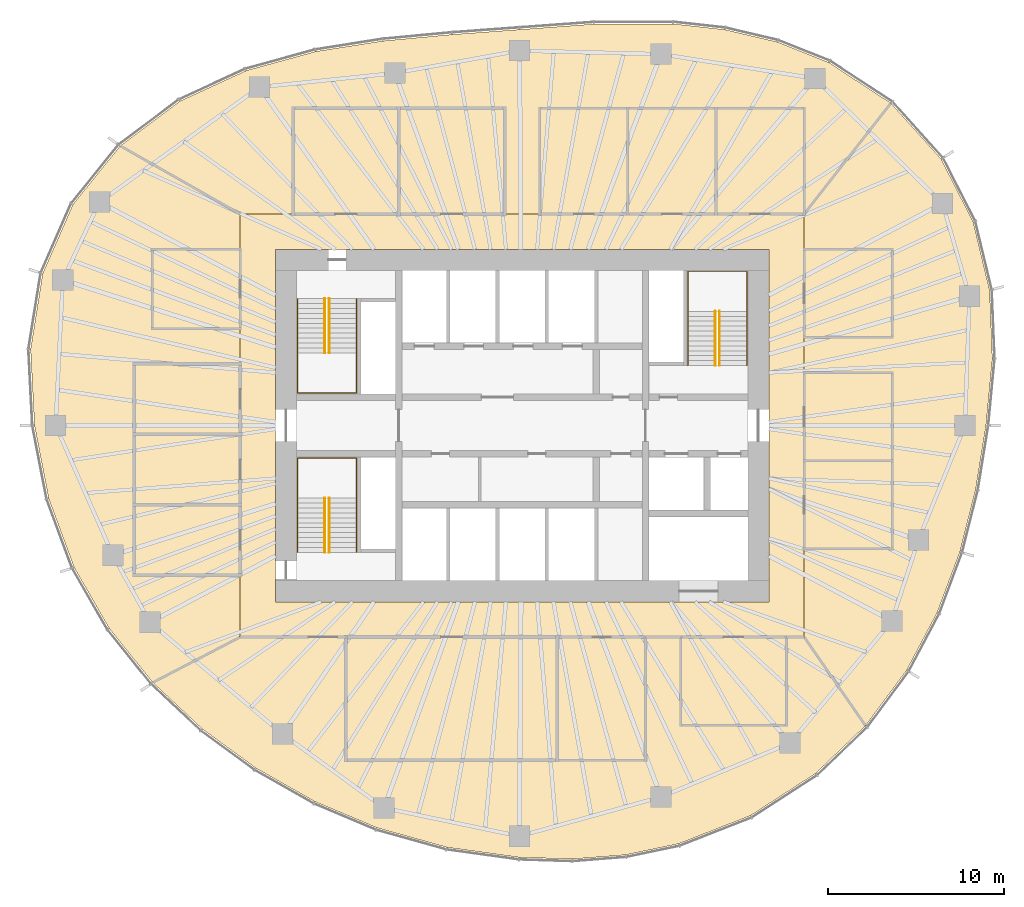
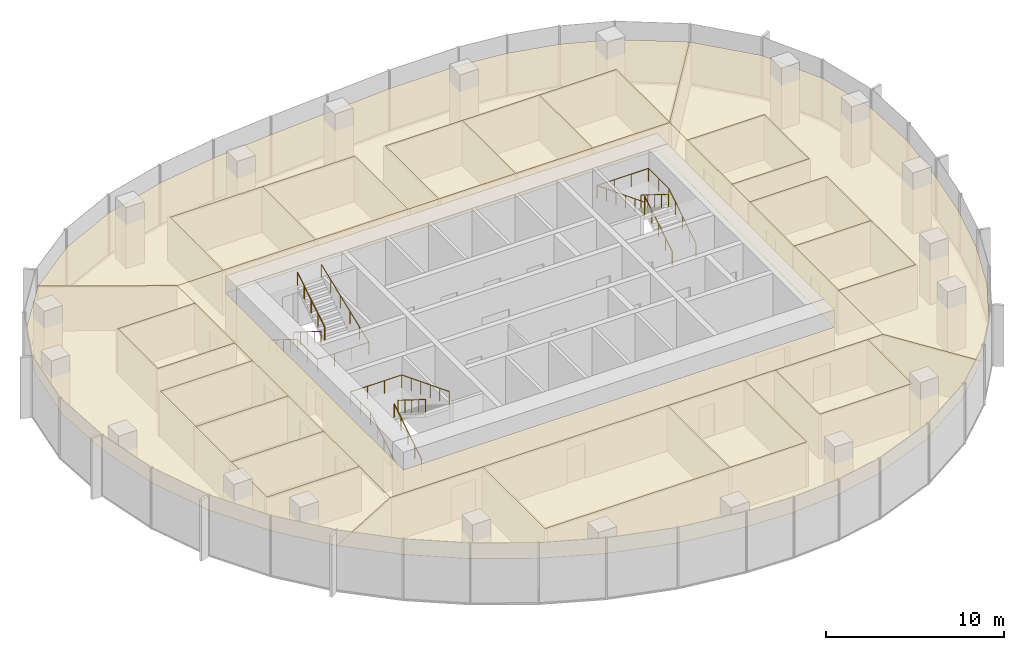
# One storey, part 11 of 11: 20 coverings, 9 railings.
"""IFC4 building model written with IfcOpenShell, lengths in metres."""

from ifc_helpers import new_model, si_unit, direction, frame, origin, origin_2d, place, context, subcontext, project, spatial, polyline, circle, outline, extrude, material, layer, layer_set, type_object, element, save


model = new_model("IFC4")

# Units and contexts
model_context = context("Model", 3, precision=1e-05, world=origin(), true_north=direction((0.0, 1.0)))
body_context = subcontext(model_context, "Body", "Model", "MODEL_VIEW")
ifc_project = project(units=[si_unit("LENGTHUNIT", "METRE"), si_unit("AREAUNIT", "SQUARE_METRE"), si_unit("VOLUMEUNIT", "CUBIC_METRE"), si_unit("PLANEANGLEUNIT", "RADIAN"), si_unit("MASSUNIT", "GRAM", prefix="KILO")], contexts=[model_context])

# Site, building, storey
site_placement = place(None, origin())
site = spatial("IfcSite", under=ifc_project, at=site_placement, CompositionType="ELEMENT")
building_placement = place(site_placement, origin())
building = spatial("IfcBuilding", under=site, at=building_placement, Name="Ghaith Harvest Tower", CompositionType="ELEMENT")
storey_placement = place(building_placement, frame((0.0, 0.0, 241.0)))
storey = spatial("IfcBuildingStorey", under=building, at=storey_placement, Name="L53", CompositionType="ELEMENT", Elevation=241.0)

# Coverings
ifc_material_1 = material(Name="Mineral fibre ceiling tile", Category="gypsum")
ifc_layer = layer(ifc_material_1, 0.02001953125)
ifc_layer_set = layer_set([ifc_layer], Name="CEILING C1")
covering_type = type_object("IfcCoveringType", Name="CEILING C1", PredefinedType="CEILING", material=ifc_layer_set)
covering_1_placement = place(storey_placement, frame((0.0, 0.0, 3.0)))
element("IfcCovering", 1, at=covering_1_placement, inside=storey, type_object=covering_type, Name="Ceiling L53-01", PredefinedType="CEILING", context=body_context, shape_type="SweptSolid", body=[
    extrude(outline(polyline([(-10.0, -19.0), (2.0, -19.0), (2.0, -12.0), (-10.0, -12.0), (-10.0, -19.0)])), origin(), (0.0, 0.0, 1.0), 0.02001953125),
])
covering_2_placement = place(storey_placement, frame((0.0, 0.0, 3.0)))
element("IfcCovering", 2, at=covering_2_placement, inside=storey, type_object=covering_type, Name="Ceiling L53-02", PredefinedType="CEILING", context=body_context, shape_type="SweptSolid", body=[
    extrude(outline(polyline([(2.0, -19.0), (7.0, -19.0), (7.0, -12.0), (2.0, -12.0), (2.0, -19.0)])), origin(), (0.0, 0.0, 1.0), 0.02001953125),
])
covering_3_placement = place(storey_placement, frame((0.0, 0.0, 3.0)))
element("IfcCovering", 3, at=covering_3_placement, inside=storey, type_object=covering_type, Name="Ceiling L53-03", PredefinedType="CEILING", context=body_context, shape_type="SweptSolid", body=[
    extrude(outline(polyline([(-22.0, -8.5), (-16.0, -8.5), (-16.0, -4.5), (-22.0, -4.5), (-22.0, -8.5)])), origin(), (0.0, 0.0, 1.0), 0.02001953125),
])
covering_4_placement = place(storey_placement, frame((0.0, 0.0, 3.0)))
element("IfcCovering", 4, at=covering_4_placement, inside=storey, type_object=covering_type, Name="Ceiling L53-04", PredefinedType="CEILING", context=body_context, shape_type="SweptSolid", body=[
    extrude(outline(polyline([(-22.0, -4.5), (-16.0, -4.5), (-16.0, -0.5), (-22.0, -0.5), (-22.0, -4.5)])), origin(), (0.0, 0.0, 1.0), 0.02001953125),
])
covering_5_placement = place(storey_placement, frame((0.0, 0.0, 3.0)))
element("IfcCovering", 5, at=covering_5_placement, inside=storey, type_object=covering_type, Name="Ceiling L53-05", PredefinedType="CEILING", context=body_context, shape_type="SweptSolid", body=[
    extrude(outline(polyline([(-22.0, -0.5), (-16.0, -0.5), (-16.0, 3.5), (-22.0, 3.5), (-22.0, -0.5)])), origin(), (0.0, 0.0, 1.0), 0.02001953125),
])
covering_6_placement = place(storey_placement, frame((0.0, 0.0, 3.0)))
element("IfcCovering", 6, at=covering_6_placement, inside=storey, type_object=covering_type, Name="Ceiling L53-06", PredefinedType="CEILING", context=body_context, shape_type="SweptSolid", body=[
    extrude(outline(polyline([(-13.0, 12.0), (-7.0, 12.0), (-7.0, 18.0), (-13.0, 18.0), (-13.0, 12.0)])), origin(), (0.0, 0.0, 1.0), 0.02001953125),
])
covering_7_placement = place(storey_placement, frame((0.0, 0.0, 3.0)))
element("IfcCovering", 7, at=covering_7_placement, inside=storey, type_object=covering_type, Name="Ceiling L53-07", PredefinedType="CEILING", context=body_context, shape_type="SweptSolid", body=[
    extrude(outline(polyline([(-7.0, 12.0), (-1.0, 12.0), (-1.0, 18.0), (-7.0, 18.0), (-7.0, 12.0)])), origin(), (0.0, 0.0, 1.0), 0.02001953125),
])
covering_8_placement = place(storey_placement, frame((0.0, 0.0, 3.0)))
element("IfcCovering", 8, at=covering_8_placement, inside=storey, type_object=covering_type, Name="Ceiling L53-08", PredefinedType="CEILING", context=body_context, shape_type="SweptSolid", body=[
    extrude(outline(polyline([(1.0, 12.0), (6.0, 12.0), (6.0, 18.0), (1.0, 18.0), (1.0, 12.0)])), origin(), (0.0, 0.0, 1.0), 0.02001953125),
])
covering_9_placement = place(storey_placement, frame((0.0, 0.0, 3.0)))
element("IfcCovering", 9, at=covering_9_placement, inside=storey, type_object=covering_type, Name="Ceiling L53-09", PredefinedType="CEILING", context=body_context, shape_type="SweptSolid", body=[
    extrude(outline(polyline([(6.0, 12.0), (11.0, 12.0), (11.0, 18.0), (6.0, 18.0), (6.0, 12.0)])), origin(), (0.0, 0.0, 1.0), 0.02001953125),
])
covering_10_placement = place(storey_placement, frame((0.0, 0.0, 3.0)))
element("IfcCovering", 10, at=covering_10_placement, inside=storey, type_object=covering_type, Name="Ceiling L53-10", PredefinedType="CEILING", context=body_context, shape_type="SweptSolid", body=[
    extrude(outline(polyline([(11.0, 12.0), (16.0, 12.0), (16.0, 18.0), (11.0, 18.0), (11.0, 12.0)])), origin(), (0.0, 0.0, 1.0), 0.02001953125),
])
covering_11_placement = place(storey_placement, frame((0.0, 0.0, 3.0)))
element("IfcCovering", 11, at=covering_11_placement, inside=storey, type_object=covering_type, Name="Ceiling L53-11", PredefinedType="CEILING", context=body_context, shape_type="SweptSolid", body=[
    extrude(outline(polyline([(16.0, -7.0), (21.0, -7.0), (21.0, -2.0), (16.0, -2.0), (16.0, -7.0)])), origin(), (0.0, 0.0, 1.0), 0.02001953125),
])
covering_12_placement = place(storey_placement, frame((0.0, 0.0, 3.0)))
element("IfcCovering", 12, at=covering_12_placement, inside=storey, type_object=covering_type, Name="Ceiling L53-12", PredefinedType="CEILING", context=body_context, shape_type="SweptSolid", body=[
    extrude(outline(polyline([(16.0, -2.0), (21.0, -2.0), (21.0, 3.0), (16.0, 3.0), (16.0, -2.0)])), origin(), (0.0, 0.0, 1.0), 0.02001953125),
])
covering_13_placement = place(storey_placement, frame((0.0, 0.0, 3.0)))
element("IfcCovering", 13, at=covering_13_placement, inside=storey, type_object=covering_type, Name="Ceiling L53-13", PredefinedType="CEILING", context=body_context, shape_type="SweptSolid", body=[
    extrude(outline(polyline([(9.0, -17.0), (15.0, -17.0), (15.0, -12.0), (9.0, -12.0), (9.0, -17.0)])), origin(), (0.0, 0.0, 1.0), 0.02001953125),
])
covering_14_placement = place(storey_placement, frame((0.0, 0.0, 3.0)))
element("IfcCovering", 14, at=covering_14_placement, inside=storey, type_object=covering_type, Name="Ceiling L53-14", PredefinedType="CEILING", context=body_context, shape_type="SweptSolid", body=[
    extrude(outline(polyline([(16.0, 5.0), (21.0, 5.0), (21.0, 10.0), (16.0, 10.0), (16.0, 5.0)])), origin(), (0.0, 0.0, 1.0), 0.02001953125),
])
covering_15_placement = place(storey_placement, frame((0.0, 0.0, 3.0)))
element("IfcCovering", 15, at=covering_15_placement, inside=storey, type_object=covering_type, Name="Ceiling L53-15", PredefinedType="CEILING", context=body_context, shape_type="SweptSolid", body=[
    extrude(outline(polyline([(-21.0, 5.5), (-16.0, 5.5), (-16.0, 10.0), (-21.0, 10.0), (-21.0, 5.5)])), origin(), (0.0, 0.0, 1.0), 0.02001953125),
])
covering_16_placement = place(storey_placement, frame((0.0, 0.0, 3.0)))
element("IfcCovering", 16, at=covering_16_placement, inside=storey, type_object=covering_type, Name="Ceiling L53-C1", PredefinedType="CEILING", context=body_context, shape_type="SweptSolid", body=[
    extrude(outline(polyline([(16.0, -12.0), (-16.0, -12.0), (-16.0, 12.0), (16.0, 12.0), (16.0, -12.0)]), holes=[polyline([(14.0, -10.0), (14.0, 10.0), (-14.0, 10.0), (-14.0, -10.0), (14.0, -10.0)])]), origin(), (0.0, 0.0, 1.0), 0.02001953125),
])
covering_17_placement = place(storey_placement, frame((0.0, 0.0, 3.0)))
element("IfcCovering", 17, at=covering_17_placement, inside=storey, type_object=covering_type, Name="Ceiling L53-N1", PredefinedType="CEILING", context=body_context, shape_type="SweptSolid", body=[
    extrude(outline(polyline([(-19.408203125, 18.41650390625), (-15.6474609375, 20.147705078125), (-11.694580078125, 21.2314453125), (-7.8837890625, 21.827880859375), (-3.963134765625, 22.192138671875), (-0.15380859375, 22.470458984375), (4.03857421875, 22.78125), (8.522216796875, 22.796875), (11.47265625, 22.47265625), (14.460693359375, 21.771484375), (17.382080078125, 20.612548828125), (20.923095703125, 18.295166015625), (16.0, 12.0), (16.0, 18.0), (1.0, 18.0), (1.0, 12.0), (-1.0, 12.0), (-1.0, 18.0), (-13.0, 18.0), (-13.0, 12.0), (-16.0, 12.0), (-22.809814453125, 15.87109375), (-19.408203125, 18.41650390625)])), origin(), (0.0, 0.0, 1.0), 0.02001953125),
])
covering_18_placement = place(storey_placement, frame((0.0, 0.0, 3.0)))
element("IfcCovering", 18, at=covering_18_placement, inside=storey, type_object=covering_type, Name="Ceiling L53-E1", PredefinedType="CEILING", context=body_context, shape_type="SweptSolid", body=[
    extrude(outline(polyline([(23.77294921875, 15.12939453125), (25.597900390625, 11.55615234375), (26.531005859375, 7.668212890625), (26.685791015625, 3.779052734375), (26.324951171875, 0.0), (25.734375, -3.644287109375), (24.840576171875, -7.179443359375), (23.548828125, -10.631103515625), (21.821533203125, -13.887451171875), (19.48388671875, -17.036865234375), (16.0, -12.0), (16.0, -7.0), (21.0, -7.0), (21.0, 3.0), (16.0, 3.0), (16.0, 5.0), (21.0, 5.0), (21.0, 10.0), (16.0, 10.0), (16.0, 12.0), (20.923095703125, 18.295166015625), (23.77294921875, 15.12939453125)])), origin(), (0.0, 0.0, 1.0), 0.02001953125),
])
covering_19_placement = place(storey_placement, frame((0.0, 0.0, 3.0)))
element("IfcCovering", 19, at=covering_19_placement, inside=storey, type_object=covering_type, Name="Ceiling L53-S1", PredefinedType="CEILING", context=body_context, shape_type="SweptSolid", body=[
    extrude(outline(polyline([(16.651611328125, -19.746337890625), (12.949462890625, -22.1435546875), (8.8740234375, -23.73779296875), (5.865234375, -24.3662109375), (2.833984375, -24.602294921875), (-0.167724609375, -24.505126953125), (-4.27490234375, -23.9375), (-8.2451171875, -22.82861328125), (-11.75732421875, -21.345703125), (-15.10400390625, -19.447998046875), (-18.15087890625, -17.223388671875), (-20.963134765625, -14.586181640625), (-16.0, -12.0), (-10.0, -12.0), (-10.0, -19.0), (7.0, -19.0), (7.0, -12.0), (9.0, -12.0), (9.0, -17.0), (15.0, -17.0), (15.0, -12.0), (16.0, -12.0), (19.48388671875, -17.036865234375), (16.651611328125, -19.746337890625)])), origin(), (0.0, 0.0, 1.0), 0.02001953125),
])
covering_20_placement = place(storey_placement, frame((0.0, 0.0, 3.0)))
element("IfcCovering", 20, at=covering_20_placement, inside=storey, type_object=covering_type, Name="Ceiling L53-W1", PredefinedType="CEILING", context=body_context, shape_type="SweptSolid", body=[
    extrude(outline(polyline([(-23.425537109375, -11.530517578125), (-25.424072265625, -8.057373046875), (-26.86669921875, -4.155517578125), (-27.675048828125, 0.0), (-27.897216796875, 4.314697265625), (-27.211181640625, 8.623779296875), (-25.491943359375, 12.547607421875), (-22.809814453125, 15.87109375), (-16.0, 12.0), (-16.0, 10.0), (-21.0, 10.0), (-21.0, 5.5), (-16.0, 5.5), (-16.0, 3.5), (-22.0, 3.5), (-22.0, -8.5), (-16.0, -8.5), (-16.0, -12.0), (-20.963134765625, -14.586181640625), (-23.425537109375, -11.530517578125)])), origin(), (0.0, 0.0, 1.0), 0.02001953125),
])

# Railings
ifc_material_2 = material(Name="Steel, black powder-coated", Category="steel")
railing_type = type_object("IfcRailingType", Name="HANDRAIL HR1", PredefinedType="HANDRAIL", material=ifc_material_2)
railing_1_placement = place(storey_placement, frame((-11.199951171875, 7.199951171875, 0.175048828125)))
element("IfcRailing", 21, at=railing_1_placement, inside=storey, type_object=railing_type, Name="Handrail HR1 stair ST1 L53 flight 1 inner", PredefinedType="HANDRAIL", context=body_context, shape_type="SweptSolid", body=[
    extrude(circle(Radius=0.02392578125, at=origin_2d()), frame((0.0, 0.0, 0.8759765625), z_axis=(0.0, -0.847979421464, 0.530029150871), x_axis=(1.0, 0.0, 0.0)), (0.0, 0.0, 1.0), 3.632080078125),
    extrude(circle(Radius=0.02099609375, at=origin_2d()), origin(), (0.0, 0.0, 1.0), 0.851806640625),
    extrude(circle(Radius=0.02099609375, at=origin_2d()), frame((0.0, -0.77001953125, 0.481201171875)), (0.0, 0.0, 1.0), 0.851806640625),
    extrude(circle(Radius=0.02099609375, at=origin_2d()), frame((0.0, -1.5400390625, 0.96240234375)), (0.0, 0.0, 1.0), 0.851806640625),
    extrude(circle(Radius=0.02099609375, at=origin_2d()), frame((0.0, -2.309814453125, 1.44384765625)), (0.0, 0.0, 1.0), 0.851806640625),
    extrude(circle(Radius=0.02099609375, at=origin_2d()), frame((0.0, -3.079833984375, 1.925048828125)), (0.0, 0.0, 1.0), 0.851806640625),
])
railing_2_placement = place(storey_placement, frame((-10.949951171875, 4.1201171875, 2.27490234375)))
element("IfcRailing", 22, at=railing_2_placement, inside=storey, type_object=railing_type, Name="Handrail HR1 stair ST1 L53 flight 2 inner", PredefinedType="HANDRAIL", context=body_context, shape_type="SweptSolid", body=[
    extrude(circle(Radius=0.02392578125, at=origin_2d()), frame((0.0, 0.0, 0.8759765625), z_axis=(0.0, 0.847979421464, 0.530029150871), x_axis=(-1.0, 0.0, 0.0)), (0.0, 0.0, 1.0), 3.632080078125),
    extrude(circle(Radius=0.02099609375, at=origin_2d()), origin(), (0.0, 0.0, 1.0), 0.851806640625),
    extrude(circle(Radius=0.02099609375, at=origin_2d()), frame((0.0, 0.77001953125, 0.481201171875)), (0.0, 0.0, 1.0), 0.851806640625),
    extrude(circle(Radius=0.02099609375, at=origin_2d()), frame((0.0, 1.5400390625, 0.96240234375)), (0.0, 0.0, 1.0), 0.851806640625),
    extrude(circle(Radius=0.02099609375, at=origin_2d()), frame((0.0, 2.309814453125, 1.44384765625)), (0.0, 0.0, 1.0), 0.851806640625),
    extrude(circle(Radius=0.02099609375, at=origin_2d()), frame((0.0, 3.079833984375, 1.925048828125)), (0.0, 0.0, 1.0), 0.851806640625),
])
railing_3_placement = place(storey_placement, frame((-12.75, 7.199951171875, 0.175048828125)))
element("IfcRailing", 23, at=railing_3_placement, inside=storey, type_object=railing_type, Name="Handrail HR1 stair ST1 L53 wall side", PredefinedType="HANDRAIL", context=body_context, shape_type="SweptSolid", body=[
    extrude(circle(Radius=0.02392578125, at=origin_2d()), frame((0.0, 0.0, 0.8759765625), z_axis=(0.0, -0.847979421464, 0.530029150871), x_axis=(1.0, 0.0, 0.0)), (0.0, 0.0, 1.0), 3.632080078125),
    extrude(circle(Radius=0.02392578125, at=origin_2d()), frame((0.0, -3.079833984375, 2.80078125), z_axis=(0.0, -1.0, 0.0), x_axis=(1.0, 0.0, 0.0)), (0.0, 0.0, 1.0), 2.27001953125),
    extrude(circle(Radius=0.02392578125, at=origin_2d()), frame((0.0, -5.349853515625, 2.80078125), z_axis=(1.0, 0.0, 0.0), x_axis=(0.0, 1.0, 0.0)), (0.0, 0.0, 1.0), 3.35009765625),
    extrude(circle(Radius=0.02392578125, at=origin_2d()), frame((3.35009765625, -5.349853515625, 2.80078125), z_axis=(0.0, 0.930862461605, 0.365369781968), x_axis=(-1.0, 0.0, 0.0)), (0.0, 0.0, 1.0), 5.747314453125),
    extrude(circle(Radius=0.02099609375, at=origin_2d()), origin(), (0.0, 0.0, 1.0), 0.851806640625),
    extrude(circle(Radius=0.02099609375, at=origin_2d()), frame((0.0, -0.77001953125, 0.481201171875)), (0.0, 0.0, 1.0), 0.851806640625),
    extrude(circle(Radius=0.02099609375, at=origin_2d()), frame((0.0, -1.5400390625, 0.96240234375)), (0.0, 0.0, 1.0), 0.851806640625),
    extrude(circle(Radius=0.02099609375, at=origin_2d()), frame((0.0, -2.309814453125, 1.44384765625)), (0.0, 0.0, 1.0), 0.851806640625),
    extrude(circle(Radius=0.02099609375, at=origin_2d()), frame((0.0, -3.079833984375, 1.925048828125)), (0.0, 0.0, 1.0), 0.851806640625),
    extrude(circle(Radius=0.02099609375, at=origin_2d()), frame((0.0, -4.21484375, 1.925048828125)), (0.0, 0.0, 1.0), 0.851806640625),
    extrude(circle(Radius=0.02099609375, at=origin_2d()), frame((0.0, -5.349853515625, 1.925048828125)), (0.0, 0.0, 1.0), 0.851806640625),
    extrude(circle(Radius=0.02099609375, at=origin_2d()), frame((1.11669921875, -5.349853515625, 1.925048828125)), (0.0, 0.0, 1.0), 0.851806640625),
    extrude(circle(Radius=0.02099609375, at=origin_2d()), frame((2.2333984375, -5.349853515625, 1.925048828125)), (0.0, 0.0, 1.0), 0.851806640625),
    extrude(circle(Radius=0.02099609375, at=origin_2d()), frame((3.35009765625, -5.349853515625, 1.925048828125)), (0.0, 0.0, 1.0), 0.851806640625),
    extrude(circle(Radius=0.02099609375, at=origin_2d()), frame((3.35009765625, -4.27978515625, 2.344970703125)), (0.0, 0.0, 1.0), 0.851806640625),
    extrude(circle(Radius=0.02099609375, at=origin_2d()), frame((3.35009765625, -3.2099609375, 2.764892578125)), (0.0, 0.0, 1.0), 0.851806640625),
    extrude(circle(Radius=0.02099609375, at=origin_2d()), frame((3.35009765625, -2.139892578125, 3.18505859375)), (0.0, 0.0, 1.0), 0.851806640625),
    extrude(circle(Radius=0.02099609375, at=origin_2d()), frame((3.35009765625, -1.070068359375, 3.60498046875)), (0.0, 0.0, 1.0), 0.851806640625),
    extrude(circle(Radius=0.02099609375, at=origin_2d()), frame((3.35009765625, 0.0, 4.02490234375)), (0.0, 0.0, 1.0), 0.851806640625),
])
railing_4_placement = place(storey_placement, frame((-11.199951171875, -7.199951171875, 0.175048828125)))
element("IfcRailing", 24, at=railing_4_placement, inside=storey, type_object=railing_type, Name="Handrail HR1 stair ST3 L53 flight 1 inner", PredefinedType="HANDRAIL", context=body_context, shape_type="SweptSolid", body=[
    extrude(circle(Radius=0.02392578125, at=origin_2d()), frame((0.0, 0.0, 0.8759765625), z_axis=(0.0, 0.847979421464, 0.530029150871), x_axis=(-1.0, 0.0, 0.0)), (0.0, 0.0, 1.0), 3.632080078125),
    extrude(circle(Radius=0.02099609375, at=origin_2d()), origin(), (0.0, 0.0, 1.0), 0.851806640625),
    extrude(circle(Radius=0.02099609375, at=origin_2d()), frame((0.0, 0.77001953125, 0.481201171875)), (0.0, 0.0, 1.0), 0.851806640625),
    extrude(circle(Radius=0.02099609375, at=origin_2d()), frame((0.0, 1.5400390625, 0.96240234375)), (0.0, 0.0, 1.0), 0.851806640625),
    extrude(circle(Radius=0.02099609375, at=origin_2d()), frame((0.0, 2.309814453125, 1.44384765625)), (0.0, 0.0, 1.0), 0.851806640625),
    extrude(circle(Radius=0.02099609375, at=origin_2d()), frame((0.0, 3.079833984375, 1.925048828125)), (0.0, 0.0, 1.0), 0.851806640625),
])
railing_5_placement = place(storey_placement, frame((-10.949951171875, -4.1201171875, 2.27490234375)))
element("IfcRailing", 25, at=railing_5_placement, inside=storey, type_object=railing_type, Name="Handrail HR1 stair ST3 L53 flight 2 inner", PredefinedType="HANDRAIL", context=body_context, shape_type="SweptSolid", body=[
    extrude(circle(Radius=0.02392578125, at=origin_2d()), frame((0.0, 0.0, 0.8759765625), z_axis=(0.0, -0.847979421464, 0.530029150871), x_axis=(1.0, 0.0, 0.0)), (0.0, 0.0, 1.0), 3.632080078125),
    extrude(circle(Radius=0.02099609375, at=origin_2d()), origin(), (0.0, 0.0, 1.0), 0.851806640625),
    extrude(circle(Radius=0.02099609375, at=origin_2d()), frame((0.0, -0.77001953125, 0.481201171875)), (0.0, 0.0, 1.0), 0.851806640625),
    extrude(circle(Radius=0.02099609375, at=origin_2d()), frame((0.0, -1.5400390625, 0.96240234375)), (0.0, 0.0, 1.0), 0.851806640625),
    extrude(circle(Radius=0.02099609375, at=origin_2d()), frame((0.0, -2.309814453125, 1.44384765625)), (0.0, 0.0, 1.0), 0.851806640625),
    extrude(circle(Radius=0.02099609375, at=origin_2d()), frame((0.0, -3.079833984375, 1.925048828125)), (0.0, 0.0, 1.0), 0.851806640625),
])
railing_6_placement = place(storey_placement, frame((-12.75, -7.199951171875, 0.175048828125)))
element("IfcRailing", 26, at=railing_6_placement, inside=storey, type_object=railing_type, Name="Handrail HR1 stair ST3 L53 wall side", PredefinedType="HANDRAIL", context=body_context, shape_type="SweptSolid", body=[
    extrude(circle(Radius=0.02392578125, at=origin_2d()), frame((0.0, 0.0, 0.8759765625), z_axis=(0.0, 0.847979421464, 0.530029150871), x_axis=(-1.0, 0.0, 0.0)), (0.0, 0.0, 1.0), 3.632080078125),
    extrude(circle(Radius=0.02392578125, at=origin_2d()), frame((0.0, 3.079833984375, 2.80078125), z_axis=(0.0, 1.0, 0.0), x_axis=(-1.0, 0.0, 0.0)), (0.0, 0.0, 1.0), 2.27001953125),
    extrude(circle(Radius=0.02392578125, at=origin_2d()), frame((0.0, 5.349853515625, 2.80078125), z_axis=(1.0, 0.0, 0.0), x_axis=(0.0, 1.0, 0.0)), (0.0, 0.0, 1.0), 3.35009765625),
    extrude(circle(Radius=0.02392578125, at=origin_2d()), frame((3.35009765625, 5.349853515625, 2.80078125), z_axis=(0.0, -0.930862461605, 0.365369781968), x_axis=(1.0, 0.0, 0.0)), (0.0, 0.0, 1.0), 5.747314453125),
    extrude(circle(Radius=0.02099609375, at=origin_2d()), origin(), (0.0, 0.0, 1.0), 0.851806640625),
    extrude(circle(Radius=0.02099609375, at=origin_2d()), frame((0.0, 0.77001953125, 0.481201171875)), (0.0, 0.0, 1.0), 0.851806640625),
    extrude(circle(Radius=0.02099609375, at=origin_2d()), frame((0.0, 1.5400390625, 0.96240234375)), (0.0, 0.0, 1.0), 0.851806640625),
    extrude(circle(Radius=0.02099609375, at=origin_2d()), frame((0.0, 2.309814453125, 1.44384765625)), (0.0, 0.0, 1.0), 0.851806640625),
    extrude(circle(Radius=0.02099609375, at=origin_2d()), frame((0.0, 3.079833984375, 1.925048828125)), (0.0, 0.0, 1.0), 0.851806640625),
    extrude(circle(Radius=0.02099609375, at=origin_2d()), frame((0.0, 4.21484375, 1.925048828125)), (0.0, 0.0, 1.0), 0.851806640625),
    extrude(circle(Radius=0.02099609375, at=origin_2d()), frame((0.0, 5.349853515625, 1.925048828125)), (0.0, 0.0, 1.0), 0.851806640625),
    extrude(circle(Radius=0.02099609375, at=origin_2d()), frame((1.11669921875, 5.349853515625, 1.925048828125)), (0.0, 0.0, 1.0), 0.851806640625),
    extrude(circle(Radius=0.02099609375, at=origin_2d()), frame((2.2333984375, 5.349853515625, 1.925048828125)), (0.0, 0.0, 1.0), 0.851806640625),
    extrude(circle(Radius=0.02099609375, at=origin_2d()), frame((3.35009765625, 5.349853515625, 1.925048828125)), (0.0, 0.0, 1.0), 0.851806640625),
    extrude(circle(Radius=0.02099609375, at=origin_2d()), frame((3.35009765625, 4.27978515625, 2.344970703125)), (0.0, 0.0, 1.0), 0.851806640625),
    extrude(circle(Radius=0.02099609375, at=origin_2d()), frame((3.35009765625, 3.2099609375, 2.764892578125)), (0.0, 0.0, 1.0), 0.851806640625),
    extrude(circle(Radius=0.02099609375, at=origin_2d()), frame((3.35009765625, 2.139892578125, 3.18505859375)), (0.0, 0.0, 1.0), 0.851806640625),
    extrude(circle(Radius=0.02099609375, at=origin_2d()), frame((3.35009765625, 1.070068359375, 3.60498046875)), (0.0, 0.0, 1.0), 0.851806640625),
    extrude(circle(Radius=0.02099609375, at=origin_2d()), frame((3.35009765625, 0.0, 4.02490234375)), (0.0, 0.0, 1.0), 0.851806640625),
])
railing_7_placement = place(storey_placement, frame((11.199951171875, 3.39990234375, 0.175048828125)))
element("IfcRailing", 27, at=railing_7_placement, inside=storey, type_object=railing_type, Name="Handrail HR1 stair ST2 L53 flight 1 inner", PredefinedType="HANDRAIL", context=body_context, shape_type="SweptSolid", body=[
    extrude(circle(Radius=0.02392578125, at=origin_2d()), frame((0.0, 0.0, 0.8759765625), z_axis=(0.0, 0.847998304005, 0.529998940003), x_axis=(-1.0, 0.0, 0.0)), (0.0, 0.0, 1.0), 3.632080078125),
    extrude(circle(Radius=0.02099609375, at=origin_2d()), origin(), (0.0, 0.0, 1.0), 0.851806640625),
    extrude(circle(Radius=0.02099609375, at=origin_2d()), frame((0.0, 0.77001953125, 0.481201171875)), (0.0, 0.0, 1.0), 0.851806640625),
    extrude(circle(Radius=0.02099609375, at=origin_2d()), frame((0.0, 1.5400390625, 0.96240234375)), (0.0, 0.0, 1.0), 0.851806640625),
    extrude(circle(Radius=0.02099609375, at=origin_2d()), frame((0.0, 2.31005859375, 1.44384765625)), (0.0, 0.0, 1.0), 0.851806640625),
    extrude(circle(Radius=0.02099609375, at=origin_2d()), frame((0.0, 3.080078125, 1.925048828125)), (0.0, 0.0, 1.0), 0.851806640625),
])
railing_8_placement = place(storey_placement, frame((10.949951171875, 6.47998046875, 2.27490234375)))
element("IfcRailing", 28, at=railing_8_placement, inside=storey, type_object=railing_type, Name="Handrail HR1 stair ST2 L53 flight 2 inner", PredefinedType="HANDRAIL", context=body_context, shape_type="SweptSolid", body=[
    extrude(circle(Radius=0.02392578125, at=origin_2d()), frame((0.0, 0.0, 0.8759765625), z_axis=(0.0, -0.847998304005, 0.529998940003), x_axis=(1.0, 0.0, 0.0)), (0.0, 0.0, 1.0), 3.632080078125),
    extrude(circle(Radius=0.02099609375, at=origin_2d()), origin(), (0.0, 0.0, 1.0), 0.851806640625),
    extrude(circle(Radius=0.02099609375, at=origin_2d()), frame((0.0, -0.77001953125, 0.481201171875)), (0.0, 0.0, 1.0), 0.851806640625),
    extrude(circle(Radius=0.02099609375, at=origin_2d()), frame((0.0, -1.5400390625, 0.96240234375)), (0.0, 0.0, 1.0), 0.851806640625),
    extrude(circle(Radius=0.02099609375, at=origin_2d()), frame((0.0, -2.31005859375, 1.44384765625)), (0.0, 0.0, 1.0), 0.851806640625),
    extrude(circle(Radius=0.02099609375, at=origin_2d()), frame((0.0, -3.080078125, 1.925048828125)), (0.0, 0.0, 1.0), 0.851806640625),
])
railing_9_placement = place(storey_placement, frame((12.75, 3.39990234375, 0.175048828125)))
element("IfcRailing", 29, at=railing_9_placement, inside=storey, type_object=railing_type, Name="Handrail HR1 stair ST2 L53 wall side", PredefinedType="HANDRAIL", context=body_context, shape_type="SweptSolid", body=[
    extrude(circle(Radius=0.02392578125, at=origin_2d()), frame((0.0, 0.0, 0.8759765625), z_axis=(0.0, 0.847998304005, 0.529998940003), x_axis=(-1.0, 0.0, 0.0)), (0.0, 0.0, 1.0), 3.632080078125),
    extrude(circle(Radius=0.02392578125, at=origin_2d()), frame((0.0, 3.080078125, 2.80078125), z_axis=(0.0, 1.0, 0.0), x_axis=(-1.0, 0.0, 0.0)), (0.0, 0.0, 1.0), 2.27001953125),
    extrude(circle(Radius=0.02392578125, at=origin_2d()), frame((0.0, 5.35009765625, 2.80078125), z_axis=(-1.0, 0.0, 0.0), x_axis=(0.0, -1.0, 0.0)), (0.0, 0.0, 1.0), 3.35009765625),
    extrude(circle(Radius=0.02392578125, at=origin_2d()), frame((-3.35009765625, 5.35009765625, 2.80078125), z_axis=(0.0, -0.930868132128, 0.365355334692), x_axis=(1.0, 0.0, 0.0)), (0.0, 0.0, 1.0), 5.747314453125),
    extrude(circle(Radius=0.02099609375, at=origin_2d()), origin(), (0.0, 0.0, 1.0), 0.851806640625),
    extrude(circle(Radius=0.02099609375, at=origin_2d()), frame((0.0, 0.77001953125, 0.481201171875)), (0.0, 0.0, 1.0), 0.851806640625),
    extrude(circle(Radius=0.02099609375, at=origin_2d()), frame((0.0, 1.5400390625, 0.96240234375)), (0.0, 0.0, 1.0), 0.851806640625),
    extrude(circle(Radius=0.02099609375, at=origin_2d()), frame((0.0, 2.31005859375, 1.44384765625)), (0.0, 0.0, 1.0), 0.851806640625),
    extrude(circle(Radius=0.02099609375, at=origin_2d()), frame((0.0, 3.080078125, 1.925048828125)), (0.0, 0.0, 1.0), 0.851806640625),
    extrude(circle(Radius=0.02099609375, at=origin_2d()), frame((0.0, 4.215087890625, 1.925048828125)), (0.0, 0.0, 1.0), 0.851806640625),
    extrude(circle(Radius=0.02099609375, at=origin_2d()), frame((0.0, 5.35009765625, 1.925048828125)), (0.0, 0.0, 1.0), 0.851806640625),
    extrude(circle(Radius=0.02099609375, at=origin_2d()), frame((-1.11669921875, 5.35009765625, 1.925048828125)), (0.0, 0.0, 1.0), 0.851806640625),
    extrude(circle(Radius=0.02099609375, at=origin_2d()), frame((-2.2333984375, 5.35009765625, 1.925048828125)), (0.0, 0.0, 1.0), 0.851806640625),
    extrude(circle(Radius=0.02099609375, at=origin_2d()), frame((-3.35009765625, 5.35009765625, 1.925048828125)), (0.0, 0.0, 1.0), 0.851806640625),
    extrude(circle(Radius=0.02099609375, at=origin_2d()), frame((-3.35009765625, 4.280029296875, 2.344970703125)), (0.0, 0.0, 1.0), 0.851806640625),
    extrude(circle(Radius=0.02099609375, at=origin_2d()), frame((-3.35009765625, 3.2099609375, 2.764892578125)), (0.0, 0.0, 1.0), 0.851806640625),
    extrude(circle(Radius=0.02099609375, at=origin_2d()), frame((-3.35009765625, 2.14013671875, 3.18505859375)), (0.0, 0.0, 1.0), 0.851806640625),
    extrude(circle(Radius=0.02099609375, at=origin_2d()), frame((-3.35009765625, 1.070068359375, 3.60498046875)), (0.0, 0.0, 1.0), 0.851806640625),
    extrude(circle(Radius=0.02099609375, at=origin_2d()), frame((-3.35009765625, 0.0, 4.02490234375)), (0.0, 0.0, 1.0), 0.851806640625),
])

save(model, "model.ifc")
